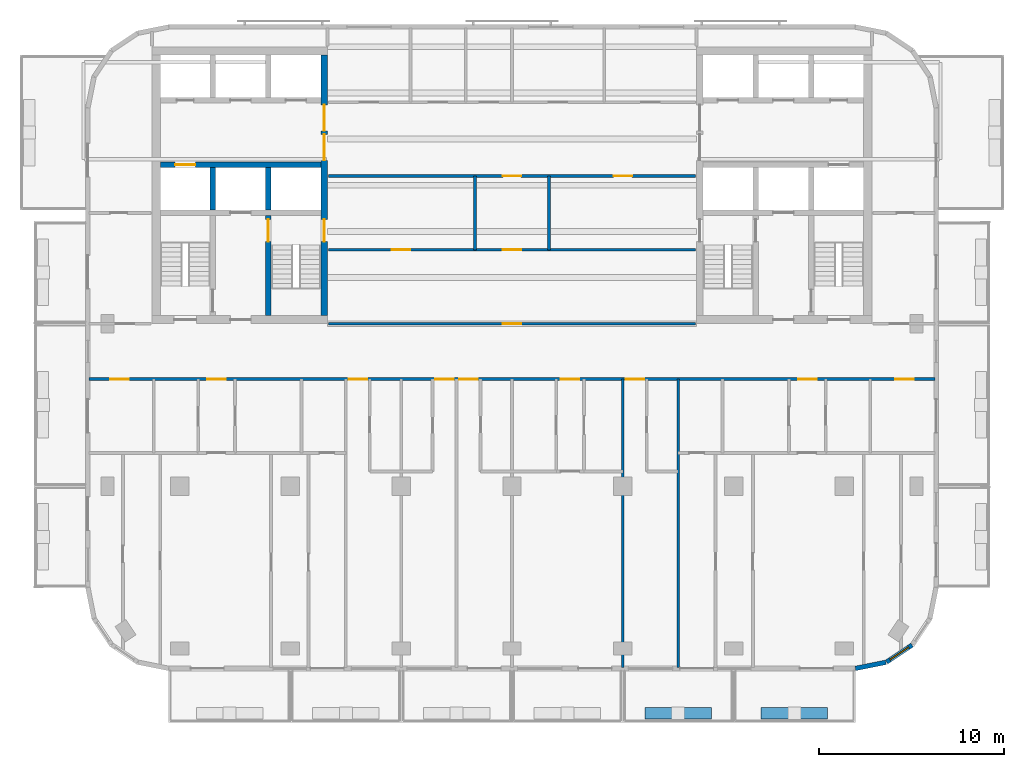
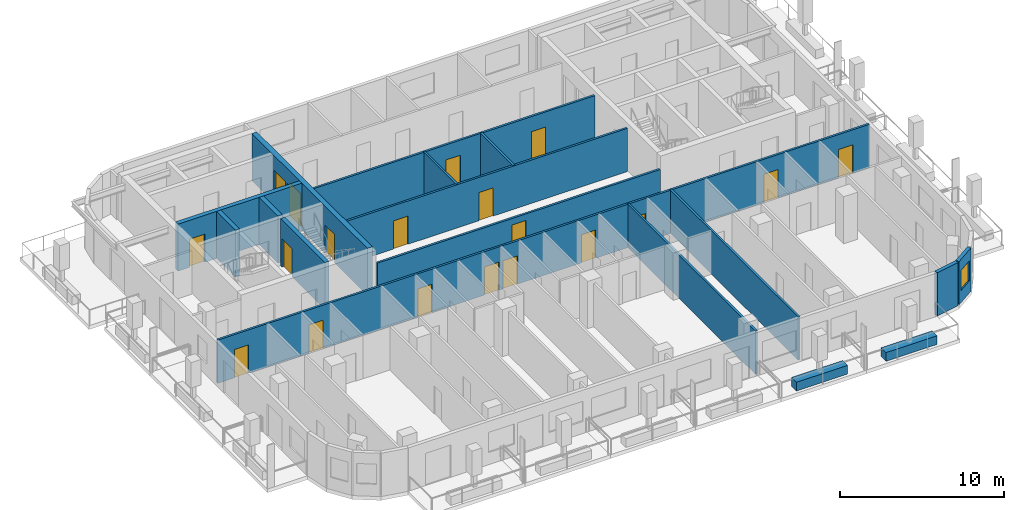
# One storey, part 4 of 11: 19 doors, 17 walls, 1 window, 20 openings.
"""IFC4 building model written with IfcOpenShell, lengths in metres."""

from ifc_helpers import new_model, si_unit, direction, frame, frame_2d, origin, place, context, subcontext, project, spatial, rectangle, extrude, material, layer, layer_set, type_object, element, fill, save


model = new_model("IFC4")

# Units and contexts
model_context = context("Model", 3, precision=1e-05, world=origin(), true_north=direction((0.0, 1.0)))
body_context = subcontext(model_context, "Body", "Model", "MODEL_VIEW")
ifc_project = project(units=[si_unit("LENGTHUNIT", "METRE"), si_unit("AREAUNIT", "SQUARE_METRE"), si_unit("VOLUMEUNIT", "CUBIC_METRE"), si_unit("PLANEANGLEUNIT", "RADIAN"), si_unit("MASSUNIT", "GRAM", prefix="KILO")], contexts=[model_context])

# Site, building, storey
site_placement = place(None, origin())
site = spatial("IfcSite", under=ifc_project, at=site_placement, CompositionType="ELEMENT")
building_placement = place(site_placement, origin())
building = spatial("IfcBuilding", under=site, at=building_placement, Name="Torana Hotel and Residences", CompositionType="ELEMENT")
storey_placement = place(building_placement, frame((0.0, 0.0, 263.10009765625)))
storey = spatial("IfcBuildingStorey", under=building, at=storey_placement, Name="L69", CompositionType="ELEMENT", Elevation=263.10009765625)

# Wall, opening, door
ifc_material_1 = material(Name="Concrete C60/75", Category="concrete")
ifc_layer_1 = layer(ifc_material_1, 0.300048828125)
ifc_layer_set_1 = layer_set([ifc_layer_1], Name="CORE WALL 300 C60/75")
wall_type_1 = type_object("IfcWallType", Name="CORE WALL 300 C60/75", PredefinedType="SHEAR", material=ifc_layer_set_1)
wall_1_placement = place(storey_placement, frame((-19.050048828125, -6.39990234375, 0.0), z_axis=(0.0, 0.0, 1.0), x_axis=(1.0, 0.0, 0.0)))
wall_1 = element("IfcWall", 1, at=wall_1_placement, inside=storey, type_object=wall_type_1, Name="Core wall W row-S", PredefinedType="SHEAR", context=body_context, shape_type="SweptSolid", body=[
    extrude(rectangle(XDim=8.699951171875, YDim=0.300048828125, at=frame_2d((4.35009765625, 0.0))), origin(), (0.0, 0.0, 1.0), 3.5),
])
opening_1_placement = place(wall_1_placement, frame((0.800048828125, 0.0, 0.0)))
opening_1 = element("IfcOpeningElement", 2, at=opening_1_placement, cuts=wall_1, Name="Opening LD", PredefinedType="OPENING", context=body_context, shape_type="SweptSolid", body=[
    extrude(rectangle(XDim=1.10009765625, YDim=2.10009765625, at=frame_2d((0.550048828125, 1.050048828125))), frame((0.0, 0.159912109375, 0.0), z_axis=(0.0, -1.0, 0.0), x_axis=(1.0, 0.0, 0.0)), (0.0, 0.0, 1.0), 0.320068359375),
])
ifc_material_2 = material(Name="Stainless steel 316", Category="steel")
door_type_1 = type_object("IfcDoorType", Name="LIFT LANDING DOOR LD 1100x2100", OperationType="DOUBLE_DOOR_SLIDING", PredefinedType="USERDEFINED", material=ifc_material_2)
door_1_placement = place(opening_1_placement, origin())
door_1 = element("IfcDoor", 3, at=door_1_placement, inside=storey, type_object=door_type_1, Name="Lift landing door SV1 L69", ObjectType="LIFT LANDING DOOR", OperationType="DOUBLE_DOOR_SLIDING", OverallHeight=2.10009765625, OverallWidth=1.10009765625, PredefinedType="USERDEFINED", context=body_context, shape_type="SweptSolid", body=[
    extrude(rectangle(XDim=1.10009765625, YDim=2.10009765625, at=frame_2d((0.550048828125, 1.050048828125))), frame((0.0, 0.02490234375, 0.0), z_axis=(0.0, -1.0, 0.0), x_axis=(1.0, 0.0, 0.0)), (0.0, 0.0, 1.0), 0.050048828125),
])
fill(opening_1, door_1)

# Wall
wall_2_placement = place(storey_placement, frame((-13.199951171875, -8.85009765625, 0.0), z_axis=(0.0, 0.0, 1.0), x_axis=(0.0, 1.0, 0.0)))
element("IfcWall", 4, at=wall_2_placement, inside=storey, type_object=wall_type_1, Name="Core wall W x3.05-S", PredefinedType="SHEAR", context=body_context, shape_type="SweptSolid", body=[
    extrude(rectangle(XDim=2.300048828125, YDim=0.300048828125, at=frame_2d((1.14990234375, 0.0))), origin(), (0.0, 0.0, 1.0), 3.5),
])

# Wall, opening, door
wall_3_placement = place(storey_placement, frame((-13.199951171875, -14.550048828125, 0.0), z_axis=(0.0, 0.0, 1.0), x_axis=(0.0, 1.0, 0.0)))
wall_3 = element("IfcWall", 5, at=wall_3_placement, inside=storey, type_object=wall_type_1, Name="Core wall W x3.05-band", PredefinedType="SHEAR", context=body_context, shape_type="SweptSolid", body=[
    extrude(rectangle(XDim=5.400146484375, YDim=0.300048828125, at=frame_2d((2.7001953125, 0.0))), origin(), (0.0, 0.0, 1.0), 3.5),
])
opening_2_placement = place(wall_3_placement, frame((4.0, 0.0, 0.0)))
opening_2 = element("IfcOpeningElement", 6, at=opening_2_placement, cuts=wall_3, Name="Opening L69-07", PredefinedType="OPENING", context=body_context, shape_type="SweptSolid", body=[
    extrude(rectangle(XDim=1.199951171875, YDim=2.10009765625, at=frame_2d((0.60009765625, 1.050048828125))), frame((0.0, 0.159912109375, 0.0), z_axis=(0.0, -1.0, 0.0), x_axis=(1.0, 0.0, 0.0)), (0.0, 0.0, 1.0), 0.320068359375),
])
ifc_material_3 = material(Name="Steel S235", Category="steel")
door_type_2 = type_object("IfcDoorType", Name="STAIR FIRE DOOR D3 1200x2100", OperationType="SINGLE_SWING_LEFT", PredefinedType="DOOR", material=ifc_material_3)
door_2_placement = place(opening_2_placement, frame((0.60009765625, 0.0, 0.0), z_axis=(0.0, 0.0, 1.0), x_axis=(-1.0, 0.0, 0.0)))
door_2 = element("IfcDoor", 7, at=door_2_placement, inside=storey, type_object=door_type_2, Name="Stair-A-lobby door L69", OperationType="SINGLE_SWING_RIGHT", OverallHeight=2.10009765625, OverallWidth=1.199951171875, PredefinedType="DOOR", context=body_context, shape_type="SweptSolid", body=[
    extrude(rectangle(XDim=1.199951171875, YDim=2.10009765625, at=frame_2d((0.0, 1.050048828125))), frame((0.0, -0.02490234375, 0.0), z_axis=(0.0, 1.0, 0.0), x_axis=(-1.0, 0.0, 0.0)), (0.0, 0.0, 1.0), 0.050048828125),
])
fill(opening_2, door_2)

# Wall
wall_4_placement = place(storey_placement, frame((-16.199951171875, -8.85009765625, 0.0), z_axis=(0.0, 0.0, 1.0), x_axis=(0.0, 1.0, 0.0)))
element("IfcWall", 8, at=wall_4_placement, inside=storey, type_object=wall_type_1, Name="Core wall W x6.05-S", PredefinedType="SHEAR", context=body_context, shape_type="SweptSolid", body=[
    extrude(rectangle(XDim=2.300048828125, YDim=0.300048828125, at=frame_2d((1.14990234375, 0.0))), origin(), (0.0, 0.0, 1.0), 3.5),
])

# Wall, openings, doors
ifc_material_4 = material(Name="Concrete C60/75", Category="concrete")
ifc_layer_2 = layer(ifc_material_4, 0.35009765625)
ifc_layer_set_2 = layer_set([ifc_layer_2], Name="CORE WALL 350 C60/75")
wall_type_2 = type_object("IfcWallType", Name="CORE WALL 350 C60/75", PredefinedType="SHEAR", material=ifc_layer_set_2)
wall_5_placement = place(storey_placement, frame((-10.175048828125, -14.550048828125, 0.0), z_axis=(0.0, 0.0, 1.0), x_axis=(0.0, 1.0, 0.0)))
wall_5 = element("IfcWall", 9, at=wall_5_placement, inside=storey, type_object=wall_type_2, Name="Core wall W arch", PredefinedType="SHEAR", context=body_context, shape_type="SweptSolid", body=[
    extrude(rectangle(XDim=14.10009765625, YDim=0.35009765625, at=frame_2d((7.050048828125, 0.0))), origin(), (0.0, 0.0, 1.0), 3.5),
])
opening_3_placement = place(wall_5_placement, frame((8.39990234375, 0.0, 0.0)))
opening_3 = element("IfcOpeningElement", 10, at=opening_3_placement, cuts=wall_5, Name="Opening L69-01", PredefinedType="OPENING", context=body_context, shape_type="SweptSolid", body=[
    extrude(rectangle(XDim=1.39990234375, YDim=2.39990234375, at=frame_2d((0.699951171875, 1.199951171875))), frame((0.0, 0.18505859375, 0.0), z_axis=(0.0, -1.0, 0.0), x_axis=(1.0, 0.0, 0.0)), (0.0, 0.0, 1.0), 0.3701171875),
])
opening_4_placement = place(wall_5_placement, frame((10.0, 0.0, 0.0)))
opening_4 = element("IfcOpeningElement", 11, at=opening_4_placement, cuts=wall_5, Name="Opening L69-02", PredefinedType="OPENING", context=body_context, shape_type="SweptSolid", body=[
    extrude(rectangle(XDim=1.39990234375, YDim=2.39990234375, at=frame_2d((0.699951171875, 1.199951171875))), frame((0.0, 0.18505859375, 0.0), z_axis=(0.0, -1.0, 0.0), x_axis=(1.0, 0.0, 0.0)), (0.0, 0.0, 1.0), 0.3701171875),
])
opening_5_placement = place(wall_5_placement, frame((4.0, 0.0, 0.0)))
opening_5 = element("IfcOpeningElement", 12, at=opening_5_placement, cuts=wall_5, Name="Opening L69-03", PredefinedType="OPENING", context=body_context, shape_type="SweptSolid", body=[
    extrude(rectangle(XDim=1.199951171875, YDim=2.10009765625, at=frame_2d((0.60009765625, 1.050048828125))), frame((0.0, 0.18505859375, 0.0), z_axis=(0.0, -1.0, 0.0), x_axis=(1.0, 0.0, 0.0)), (0.0, 0.0, 1.0), 0.3701171875),
])
ifc_material_5 = material(Name="Steel S235", Category="steel")
door_type_3 = type_object("IfcDoorType", Name="LOBBY FIRE DOOR D4 1400x2400", OperationType="DOUBLE_DOOR_SINGLE_SWING", PredefinedType="DOOR", material=ifc_material_5)
door_3_placement = place(opening_3_placement, origin())
door_3 = element("IfcDoor", 13, at=door_3_placement, inside=storey, type_object=door_type_3, Name="Lobby-1 door L69", OperationType="DOUBLE_DOOR_SINGLE_SWING", OverallHeight=2.39990234375, OverallWidth=1.39990234375, PredefinedType="DOOR", context=body_context, shape_type="SweptSolid", body=[
    extrude(rectangle(XDim=1.39990234375, YDim=2.39990234375, at=frame_2d((0.699951171875, 1.199951171875))), frame((0.0, 0.02490234375, 0.0), z_axis=(0.0, -1.0, 0.0), x_axis=(1.0, 0.0, 0.0)), (0.0, 0.0, 1.0), 0.050048828125),
])
fill(opening_3, door_3)
door_4_placement = place(opening_4_placement, origin())
door_4 = element("IfcDoor", 14, at=door_4_placement, inside=storey, type_object=door_type_3, Name="Lobby-2 door L69", OperationType="DOUBLE_DOOR_SINGLE_SWING", OverallHeight=2.39990234375, OverallWidth=1.39990234375, PredefinedType="DOOR", context=body_context, shape_type="SweptSolid", body=[
    extrude(rectangle(XDim=1.39990234375, YDim=2.39990234375, at=frame_2d((0.699951171875, 1.199951171875))), frame((0.0, 0.02490234375, 0.0), z_axis=(0.0, -1.0, 0.0), x_axis=(1.0, 0.0, 0.0)), (0.0, 0.0, 1.0), 0.050048828125),
])
fill(opening_4, door_4)
door_5_placement = place(opening_5_placement, origin())
door_5 = element("IfcDoor", 15, at=door_5_placement, inside=storey, type_object=door_type_2, Name="Stair-A door L69", OperationType="SINGLE_SWING_LEFT", OverallHeight=2.10009765625, OverallWidth=1.199951171875, PredefinedType="DOOR", context=body_context, shape_type="SweptSolid", body=[
    extrude(rectangle(XDim=1.199951171875, YDim=2.10009765625, at=frame_2d((0.60009765625, 1.050048828125))), frame((0.0, 0.02490234375, 0.0), z_axis=(0.0, -1.0, 0.0), x_axis=(1.0, 0.0, 0.0)), (0.0, 0.0, 1.0), 0.050048828125),
])
fill(opening_5, door_5)

# Wall
ifc_material_6 = material(Name="Black aluminium composite panel", Category="aluminium")
ifc_layer_3 = layer(ifc_material_6, 0.00390625, Name="Cladding", Category="cladding")
ifc_material_7 = material(Name="Ventilated air cavity")
ifc_layer_4 = layer(ifc_material_7, 0.0400390625, Name="Ventilated cavity", Category="cavity")
ifc_material_8 = material(Name="Mineral wool insulation")
ifc_layer_5 = layer(ifc_material_8, 0.090087890625, Name="Insulation", Category="insulation")
ifc_material_9 = material(Name="Steel S280GD", Category="steel")
ifc_layer_6 = layer(ifc_material_9, 0.092041015625, Name="Steel stud frame", Category="structure")
ifc_material_10 = material(Name="Fire rated plasterboard")
ifc_layer_7 = layer(ifc_material_10, 0.011962890625, Name="Inner board", Category="finish")
ifc_layer_8 = layer(ifc_material_10, 0.011962890625, Name="Second board", Category="finish")
ifc_layer_set_3 = layer_set([ifc_layer_3, ifc_layer_4, ifc_layer_5, ifc_layer_6, ifc_layer_7, ifc_layer_8], Name="EW1 EXTERNAL WALL BLACK METAL CLAD 250")
wall_type_3 = type_object("IfcWallType", Name="EW1 EXTERNAL WALL BLACK METAL CLAD 250", PredefinedType="SOLIDWALL", material=ifc_layer_set_3)
wall_6_placement = place(storey_placement, frame((18.599853515625, -33.672607421875, 0.0), z_axis=(0.0, 0.0, 1.0), x_axis=(0.980770110232, 0.195166572128, 0.0)))
element("IfcWall", 16, at=wall_6_placement, inside=storey, type_object=wall_type_3, Name="External wall L69 e0.15", PredefinedType="SOLIDWALL", context=body_context, shape_type="SweptSolid", body=[
    extrude(rectangle(XDim=1.68115234375, YDim=0.25, at=frame_2d((0.840576171875, 0.0))), origin(), (0.0, 0.0, 1.0), 3.219970703125),
])

# Wall, opening, window
wall_7_placement = place(storey_placement, frame((20.2939453125, -33.325927734375, 0.0), z_axis=(0.0, 0.0, 1.0), x_axis=(0.831482937015, 0.55555029066, 0.0)))
wall_7 = element("IfcWall", 17, at=wall_7_placement, inside=storey, type_object=wall_type_3, Name="External wall L69 e0.16", PredefinedType="SOLIDWALL", context=body_context, shape_type="SweptSolid", body=[
    extrude(rectangle(XDim=1.65625, YDim=0.25, at=frame_2d((0.828125, 0.0))), origin(), (0.0, 0.0, 1.0), 3.219970703125),
])
opening_6_placement = place(wall_7_placement, frame((0.228271484375, 0.0, 0.89990234375)))
opening_6 = element("IfcOpeningElement", 18, at=opening_6_placement, cuts=wall_7, Name="Opening W5", PredefinedType="OPENING", context=body_context, shape_type="SweptSolid", body=[
    extrude(rectangle(XDim=1.199951171875, YDim=1.5, at=frame_2d((0.60009765625, 0.75))), frame((0.0, 0.135009765625, 0.0), z_axis=(0.0, -1.0, 0.0), x_axis=(1.0, 0.0, 0.0)), (0.0, 0.0, 1.0), 0.27001953125),
])
ifc_material_11 = material(Name="Dark glass in black aluminium frame", Category="aluminium")
window_type = type_object("IfcWindowType", Name="W5 CORNER FACET WINDOW 1200x1500", PartitioningType="SINGLE_PANEL", PredefinedType="WINDOW", material=ifc_material_11)
window_placement = place(opening_6_placement, origin())
window = element("IfcWindow", 19, at=window_placement, inside=storey, type_object=window_type, Name="Window L69 e0.16", OverallHeight=1.5, OverallWidth=1.199951171875, PartitioningType="SINGLE_PANEL", PredefinedType="WINDOW", context=body_context, shape_type="SweptSolid", body=[
    extrude(rectangle(XDim=1.199951171875, YDim=1.5, at=frame_2d((0.60009765625, 0.75))), frame((0.0, 0.030029296875, 0.0), z_axis=(0.0, -1.0, 0.0), x_axis=(1.0, 0.0, 0.0)), (0.0, 0.0, 1.0), 0.06005859375),
])
fill(opening_6, window)

# Walls
ifc_material_12 = material(Name="Gypsum plaster")
ifc_layer_9 = layer(ifc_material_12, 0.014892578125, Name="Plaster", Category="finish")
ifc_material_13 = material(Name="Concrete blockwork", Category="masonry")
ifc_layer_10 = layer(ifc_material_13, 0.1201171875, Name="Blockwork", Category="structure")
ifc_layer_11 = layer(ifc_material_12, 0.014892578125, Name="Plaster", Category="finish")
ifc_layer_set_4 = layer_set([ifc_layer_9, ifc_layer_10, ifc_layer_11], Name="FIRE PARTITION 150 BLOCKWORK")
wall_type_4 = type_object("IfcWallType", Name="FIRE PARTITION 150 BLOCKWORK", PredefinedType="PARTITIONING", material=ifc_layer_set_4)
for number, where, z_axis, x_axis, name in (
    (20, (2.0, -11.0, 0.0), (0.0, 0.0, 1.0), (0.0, 1.0, 0.0), "Partition L69"),
    (21, (-2.0, -11.0, 0.0), (0.0, 0.0, 1.0), (0.0, 1.0, 0.0), "Partition L69"),
):
    element("IfcWall", number, at=place(storey_placement, frame(where, z_axis=z_axis, x_axis=x_axis)), inside=storey, type_object=wall_type_4, Name=name, PredefinedType="PARTITIONING", context=body_context, shape_type="SweptSolid", body=[
        extrude(rectangle(XDim=4.0, YDim=0.14990234375, at=frame_2d((2.0, 0.0))), origin(), (0.0, 0.0, 1.0), 3.219970703125),
    ])

# Wall, openings, doors
wall_8_placement = place(storey_placement, frame((-22.919921875, -18.0, 0.0), z_axis=(0.0, 0.0, 1.0), x_axis=(1.0, 0.0, 0.0)))
wall_8 = element("IfcWall", 22, at=wall_8_placement, inside=storey, type_object=wall_type_4, Name="Partition L69", PredefinedType="PARTITIONING", context=body_context, shape_type="SweptSolid", body=[
    extrude(rectangle(XDim=45.83984375, YDim=0.14990234375, at=frame_2d((22.919921875, 0.0))), origin(), (0.0, 0.0, 1.0), 3.219970703125),
])
opening_7_placement = place(wall_8_placement, frame((14.070068359375, 0.0, 0.0)))
opening_7 = element("IfcOpeningElement", 23, at=opening_7_placement, cuts=wall_8, Name="Opening L69-18", PredefinedType="OPENING", context=body_context, shape_type="SweptSolid", body=[
    extrude(rectangle(XDim=1.0, YDim=2.10009765625, at=frame_2d((0.5, 1.050048828125))), frame((0.0, 0.0849609375, 0.0), z_axis=(0.0, -1.0, 0.0), x_axis=(1.0, 0.0, 0.0)), (0.0, 0.0, 1.0), 0.169921875),
])
opening_8_placement = place(wall_8_placement, frame((18.77001953125, 0.0, 0.0)))
opening_8 = element("IfcOpeningElement", 24, at=opening_8_placement, cuts=wall_8, Name="Opening L69-19", PredefinedType="OPENING", context=body_context, shape_type="SweptSolid", body=[
    extrude(rectangle(XDim=1.0, YDim=2.10009765625, at=frame_2d((0.5, 1.050048828125))), frame((0.0, 0.0849609375, 0.0), z_axis=(0.0, -1.0, 0.0), x_axis=(1.0, 0.0, 0.0)), (0.0, 0.0, 1.0), 0.169921875),
])
opening_9_placement = place(wall_8_placement, frame((20.070068359375, 0.0, 0.0)))
opening_9 = element("IfcOpeningElement", 25, at=opening_9_placement, cuts=wall_8, Name="Opening L69-20", PredefinedType="OPENING", context=body_context, shape_type="SweptSolid", body=[
    extrude(rectangle(XDim=1.0, YDim=2.10009765625, at=frame_2d((0.5, 1.050048828125))), frame((0.0, 0.0849609375, 0.0), z_axis=(0.0, -1.0, 0.0), x_axis=(1.0, 0.0, 0.0)), (0.0, 0.0, 1.0), 0.169921875),
])
opening_10_placement = place(wall_8_placement, frame((25.570068359375, 0.0, 0.0)))
opening_10 = element("IfcOpeningElement", 26, at=opening_10_placement, cuts=wall_8, Name="Opening L69-21", PredefinedType="OPENING", context=body_context, shape_type="SweptSolid", body=[
    extrude(rectangle(XDim=1.0, YDim=2.10009765625, at=frame_2d((0.5, 1.050048828125))), frame((0.0, 0.0849609375, 0.0), z_axis=(0.0, -1.0, 0.0), x_axis=(1.0, 0.0, 0.0)), (0.0, 0.0, 1.0), 0.169921875),
])
opening_11_placement = place(wall_8_placement, frame((29.070068359375, 0.0, 0.0)))
opening_11 = element("IfcOpeningElement", 27, at=opening_11_placement, cuts=wall_8, Name="Opening L69-22", PredefinedType="OPENING", context=body_context, shape_type="SweptSolid", body=[
    extrude(rectangle(XDim=1.0, YDim=2.10009765625, at=frame_2d((0.5, 1.050048828125))), frame((0.0, 0.0849609375, 0.0), z_axis=(0.0, -1.0, 0.0), x_axis=(1.0, 0.0, 0.0)), (0.0, 0.0, 1.0), 0.169921875),
])
opening_12_placement = place(wall_8_placement, frame((6.419921875, 0.0, 0.0)))
opening_12 = element("IfcOpeningElement", 28, at=opening_12_placement, cuts=wall_8, Name="Opening L69-23", PredefinedType="OPENING", context=body_context, shape_type="SweptSolid", body=[
    extrude(rectangle(XDim=1.0, YDim=2.10009765625, at=frame_2d((0.5, 1.050048828125))), frame((0.0, 0.0849609375, 0.0), z_axis=(0.0, -1.0, 0.0), x_axis=(1.0, 0.0, 0.0)), (0.0, 0.0, 1.0), 0.169921875),
])
opening_13_placement = place(wall_8_placement, frame((1.169921875, 0.0, 0.0)))
opening_13 = element("IfcOpeningElement", 29, at=opening_13_placement, cuts=wall_8, Name="Opening L69-24", PredefinedType="OPENING", context=body_context, shape_type="SweptSolid", body=[
    extrude(rectangle(XDim=1.0, YDim=2.10009765625, at=frame_2d((0.5, 1.050048828125))), frame((0.0, 0.0849609375, 0.0), z_axis=(0.0, -1.0, 0.0), x_axis=(1.0, 0.0, 0.0)), (0.0, 0.0, 1.0), 0.169921875),
])
opening_14_placement = place(wall_8_placement, frame((38.419921875, 0.0, 0.0)))
opening_14 = element("IfcOpeningElement", 30, at=opening_14_placement, cuts=wall_8, Name="Opening L69-25", PredefinedType="OPENING", context=body_context, shape_type="SweptSolid", body=[
    extrude(rectangle(XDim=1.0, YDim=2.10009765625, at=frame_2d((0.5, 1.050048828125))), frame((0.0, 0.0849609375, 0.0), z_axis=(0.0, -1.0, 0.0), x_axis=(1.0, 0.0, 0.0)), (0.0, 0.0, 1.0), 0.169921875),
])
opening_15_placement = place(wall_8_placement, frame((43.669921875, 0.0, 0.0)))
opening_15 = element("IfcOpeningElement", 31, at=opening_15_placement, cuts=wall_8, Name="Opening L69-26", PredefinedType="OPENING", context=body_context, shape_type="SweptSolid", body=[
    extrude(rectangle(XDim=1.0, YDim=2.10009765625, at=frame_2d((0.5, 1.050048828125))), frame((0.0, 0.0849609375, 0.0), z_axis=(0.0, -1.0, 0.0), x_axis=(1.0, 0.0, 0.0)), (0.0, 0.0, 1.0), 0.169921875),
])
ifc_material_14 = material(Name="Steel S235", Category="steel")
door_type_4 = type_object("IfcDoorType", Name="ENTRY FIRE DOOR D6 1000x2100", OperationType="SINGLE_SWING_LEFT", PredefinedType="DOOR", material=ifc_material_14)
door_6_placement = place(opening_7_placement, frame((0.5, 0.0, 0.0), z_axis=(0.0, 0.0, 1.0), x_axis=(-1.0, 0.0, 0.0)))
door_6 = element("IfcDoor", 32, at=door_6_placement, inside=storey, type_object=door_type_4, Name="Door L69", OperationType="SINGLE_SWING_LEFT", OverallHeight=2.10009765625, OverallWidth=1.0, PredefinedType="DOOR", context=body_context, shape_type="SweptSolid", body=[
    extrude(rectangle(XDim=1.0, YDim=2.10009765625, at=frame_2d((0.0, 1.050048828125))), frame((0.0, -0.02490234375, 0.0), z_axis=(0.0, 1.0, 0.0), x_axis=(-1.0, 0.0, 0.0)), (0.0, 0.0, 1.0), 0.050048828125),
])
fill(opening_7, door_6)
door_7_placement = place(opening_8_placement, frame((0.5, 0.0, 0.0), z_axis=(0.0, 0.0, 1.0), x_axis=(-1.0, 0.0, 0.0)))
door_7 = element("IfcDoor", 33, at=door_7_placement, inside=storey, type_object=door_type_4, Name="Door L69", OperationType="SINGLE_SWING_LEFT", OverallHeight=2.10009765625, OverallWidth=1.0, PredefinedType="DOOR", context=body_context, shape_type="SweptSolid", body=[
    extrude(rectangle(XDim=1.0, YDim=2.10009765625, at=frame_2d((0.0, 1.050048828125))), frame((0.0, -0.02490234375, 0.0), z_axis=(0.0, 1.0, 0.0), x_axis=(-1.0, 0.0, 0.0)), (0.0, 0.0, 1.0), 0.050048828125),
])
fill(opening_8, door_7)
door_8_placement = place(opening_9_placement, frame((0.5, 0.0, 0.0), z_axis=(0.0, 0.0, 1.0), x_axis=(-1.0, 0.0, 0.0)))
door_8 = element("IfcDoor", 34, at=door_8_placement, inside=storey, type_object=door_type_4, Name="Door L69", OperationType="SINGLE_SWING_LEFT", OverallHeight=2.10009765625, OverallWidth=1.0, PredefinedType="DOOR", context=body_context, shape_type="SweptSolid", body=[
    extrude(rectangle(XDim=1.0, YDim=2.10009765625, at=frame_2d((0.0, 1.050048828125))), frame((0.0, -0.02490234375, 0.0), z_axis=(0.0, 1.0, 0.0), x_axis=(-1.0, 0.0, 0.0)), (0.0, 0.0, 1.0), 0.050048828125),
])
fill(opening_9, door_8)
door_9_placement = place(opening_10_placement, origin())
door_9 = element("IfcDoor", 35, at=door_9_placement, inside=storey, type_object=door_type_4, Name="Door L69", OperationType="SINGLE_SWING_RIGHT", OverallHeight=2.10009765625, OverallWidth=1.0, PredefinedType="DOOR", context=body_context, shape_type="SweptSolid", body=[
    extrude(rectangle(XDim=1.0, YDim=2.10009765625, at=frame_2d((0.5, 1.050048828125))), frame((0.0, 0.02490234375, 0.0), z_axis=(0.0, -1.0, 0.0), x_axis=(1.0, 0.0, 0.0)), (0.0, 0.0, 1.0), 0.050048828125),
])
fill(opening_10, door_9)
door_10_placement = place(opening_11_placement, frame((0.5, 0.0, 0.0), z_axis=(0.0, 0.0, 1.0), x_axis=(-1.0, 0.0, 0.0)))
door_10 = element("IfcDoor", 36, at=door_10_placement, inside=storey, type_object=door_type_4, Name="Door L69", OperationType="SINGLE_SWING_LEFT", OverallHeight=2.10009765625, OverallWidth=1.0, PredefinedType="DOOR", context=body_context, shape_type="SweptSolid", body=[
    extrude(rectangle(XDim=1.0, YDim=2.10009765625, at=frame_2d((0.0, 1.050048828125))), frame((0.0, -0.02490234375, 0.0), z_axis=(0.0, 1.0, 0.0), x_axis=(-1.0, 0.0, 0.0)), (0.0, 0.0, 1.0), 0.050048828125),
])
fill(opening_11, door_10)
door_11_placement = place(opening_12_placement, origin())
door_11 = element("IfcDoor", 37, at=door_11_placement, inside=storey, type_object=door_type_4, Name="Door L69", OperationType="SINGLE_SWING_RIGHT", OverallHeight=2.10009765625, OverallWidth=1.0, PredefinedType="DOOR", context=body_context, shape_type="SweptSolid", body=[
    extrude(rectangle(XDim=1.0, YDim=2.10009765625, at=frame_2d((0.5, 1.050048828125))), frame((0.0, 0.02490234375, 0.0), z_axis=(0.0, -1.0, 0.0), x_axis=(1.0, 0.0, 0.0)), (0.0, 0.0, 1.0), 0.050048828125),
])
fill(opening_12, door_11)
door_12_placement = place(opening_13_placement, frame((0.5, 0.0, 0.0), z_axis=(0.0, 0.0, 1.0), x_axis=(-1.0, 0.0, 0.0)))
door_12 = element("IfcDoor", 38, at=door_12_placement, inside=storey, type_object=door_type_4, Name="Door L69", OperationType="SINGLE_SWING_LEFT", OverallHeight=2.10009765625, OverallWidth=1.0, PredefinedType="DOOR", context=body_context, shape_type="SweptSolid", body=[
    extrude(rectangle(XDim=1.0, YDim=2.10009765625, at=frame_2d((0.0, 1.050048828125))), frame((0.0, -0.02490234375, 0.0), z_axis=(0.0, 1.0, 0.0), x_axis=(-1.0, 0.0, 0.0)), (0.0, 0.0, 1.0), 0.050048828125),
])
fill(opening_13, door_12)
door_13_placement = place(opening_14_placement, origin())
door_13 = element("IfcDoor", 39, at=door_13_placement, inside=storey, type_object=door_type_4, Name="Door L69", OperationType="SINGLE_SWING_RIGHT", OverallHeight=2.10009765625, OverallWidth=1.0, PredefinedType="DOOR", context=body_context, shape_type="SweptSolid", body=[
    extrude(rectangle(XDim=1.0, YDim=2.10009765625, at=frame_2d((0.5, 1.050048828125))), frame((0.0, 0.02490234375, 0.0), z_axis=(0.0, -1.0, 0.0), x_axis=(1.0, 0.0, 0.0)), (0.0, 0.0, 1.0), 0.050048828125),
])
fill(opening_14, door_13)
door_14_placement = place(opening_15_placement, frame((0.5, 0.0, 0.0), z_axis=(0.0, 0.0, 1.0), x_axis=(-1.0, 0.0, 0.0)))
door_14 = element("IfcDoor", 40, at=door_14_placement, inside=storey, type_object=door_type_4, Name="Door L69", OperationType="SINGLE_SWING_RIGHT", OverallHeight=2.10009765625, OverallWidth=1.0, PredefinedType="DOOR", context=body_context, shape_type="SweptSolid", body=[
    extrude(rectangle(XDim=1.0, YDim=2.10009765625, at=frame_2d((0.0, 1.050048828125))), frame((0.0, -0.02490234375, 0.0), z_axis=(0.0, 1.0, 0.0), x_axis=(-1.0, 0.0, 0.0)), (0.0, 0.0, 1.0), 0.050048828125),
])
fill(opening_15, door_14)

# Wall, opening, door
wall_9_placement = place(storey_placement, frame((-9.949951171875, -15.0, 0.0), z_axis=(0.0, 0.0, 1.0), x_axis=(1.0, 0.0, 0.0)))
wall_9 = element("IfcWall", 41, at=wall_9_placement, inside=storey, type_object=wall_type_4, Name="Partition L69", PredefinedType="PARTITIONING", context=body_context, shape_type="SweptSolid", body=[
    extrude(rectangle(XDim=19.89990234375, YDim=0.14990234375, at=frame_2d((9.949951171875, 0.0))), origin(), (0.0, 0.0, 1.0), 2.583984375),
])
opening_16_placement = place(wall_9_placement, frame((9.449951171875, 0.0, 0.0)))
opening_16 = element("IfcOpeningElement", 42, at=opening_16_placement, cuts=wall_9, Name="Opening L69-17", PredefinedType="OPENING", context=body_context, shape_type="SweptSolid", body=[
    extrude(rectangle(XDim=1.0, YDim=2.10009765625, at=frame_2d((0.5, 1.050048828125))), frame((0.0, 0.0849609375, 0.0), z_axis=(0.0, -1.0, 0.0), x_axis=(1.0, 0.0, 0.0)), (0.0, 0.0, 1.0), 0.169921875),
])
door_15_placement = place(opening_16_placement, origin())
door_15 = element("IfcDoor", 43, at=door_15_placement, inside=storey, type_object=door_type_4, Name="Door L69", OperationType="SINGLE_SWING_RIGHT", OverallHeight=2.10009765625, OverallWidth=1.0, PredefinedType="DOOR", context=body_context, shape_type="SweptSolid", body=[
    extrude(rectangle(XDim=1.0, YDim=2.10009765625, at=frame_2d((0.5, 1.050048828125))), frame((0.0, 0.02490234375, 0.0), z_axis=(0.0, -1.0, 0.0), x_axis=(1.0, 0.0, 0.0)), (0.0, 0.0, 1.0), 0.050048828125),
])
fill(opening_16, door_15)

# Wall, openings, doors
wall_10_placement = place(storey_placement, frame((-9.949951171875, -11.0, 0.0), z_axis=(0.0, 0.0, 1.0), x_axis=(1.0, 0.0, 0.0)))
wall_10 = element("IfcWall", 44, at=wall_10_placement, inside=storey, type_object=wall_type_4, Name="Partition L69", PredefinedType="PARTITIONING", context=body_context, shape_type="SweptSolid", body=[
    extrude(rectangle(XDim=19.89990234375, YDim=0.14990234375, at=frame_2d((9.949951171875, 0.0))), origin(), (0.0, 0.0, 1.0), 3.219970703125),
])
opening_17_placement = place(wall_10_placement, frame((9.449951171875, 0.0, 0.0)))
opening_17 = element("IfcOpeningElement", 45, at=opening_17_placement, cuts=wall_10, Name="Opening L69-29", PredefinedType="OPENING", context=body_context, shape_type="SweptSolid", body=[
    extrude(rectangle(XDim=1.0, YDim=2.10009765625, at=frame_2d((0.5, 1.050048828125))), frame((0.0, 0.0849609375, 0.0), z_axis=(0.0, -1.0, 0.0), x_axis=(1.0, 0.0, 0.0)), (0.0, 0.0, 1.0), 0.169921875),
])
opening_18_placement = place(wall_10_placement, frame((3.449951171875, 0.0, 0.0)))
opening_18 = element("IfcOpeningElement", 46, at=opening_18_placement, cuts=wall_10, Name="Opening L69-30", PredefinedType="OPENING", context=body_context, shape_type="SweptSolid", body=[
    extrude(rectangle(XDim=1.0, YDim=2.10009765625, at=frame_2d((0.5, 1.050048828125))), frame((0.0, 0.0849609375, 0.0), z_axis=(0.0, -1.0, 0.0), x_axis=(1.0, 0.0, 0.0)), (0.0, 0.0, 1.0), 0.169921875),
])
door_16_placement = place(opening_17_placement, origin())
door_16 = element("IfcDoor", 47, at=door_16_placement, inside=storey, type_object=door_type_4, Name="Door L69", OperationType="SINGLE_SWING_RIGHT", OverallHeight=2.10009765625, OverallWidth=1.0, PredefinedType="DOOR", context=body_context, shape_type="SweptSolid", body=[
    extrude(rectangle(XDim=1.0, YDim=2.10009765625, at=frame_2d((0.5, 1.050048828125))), frame((0.0, 0.02490234375, 0.0), z_axis=(0.0, -1.0, 0.0), x_axis=(1.0, 0.0, 0.0)), (0.0, 0.0, 1.0), 0.050048828125),
])
fill(opening_17, door_16)
door_17_placement = place(opening_18_placement, origin())
door_17 = element("IfcDoor", 48, at=door_17_placement, inside=storey, type_object=door_type_4, Name="Door L69", OperationType="SINGLE_SWING_RIGHT", OverallHeight=2.10009765625, OverallWidth=1.0, PredefinedType="DOOR", context=body_context, shape_type="SweptSolid", body=[
    extrude(rectangle(XDim=1.0, YDim=2.10009765625, at=frame_2d((0.5, 1.050048828125))), frame((0.0, 0.02490234375, 0.0), z_axis=(0.0, -1.0, 0.0), x_axis=(1.0, 0.0, 0.0)), (0.0, 0.0, 1.0), 0.050048828125),
])
fill(opening_18, door_17)

wall_11_placement = place(storey_placement, frame((-9.949951171875, -7.0, 0.0), z_axis=(0.0, 0.0, 1.0), x_axis=(1.0, 0.0, 0.0)))
wall_11 = element("IfcWall", 49, at=wall_11_placement, inside=storey, type_object=wall_type_4, Name="Partition L69", PredefinedType="PARTITIONING", context=body_context, shape_type="SweptSolid", body=[
    extrude(rectangle(XDim=19.89990234375, YDim=0.14990234375, at=frame_2d((9.949951171875, 0.0))), origin(), (0.0, 0.0, 1.0), 3.219970703125),
])
opening_19_placement = place(wall_11_placement, frame((9.449951171875, 0.0, 0.0)))
opening_19 = element("IfcOpeningElement", 50, at=opening_19_placement, cuts=wall_11, Name="Opening L69-31", PredefinedType="OPENING", context=body_context, shape_type="SweptSolid", body=[
    extrude(rectangle(XDim=1.0, YDim=2.10009765625, at=frame_2d((0.5, 1.050048828125))), frame((0.0, 0.0849609375, 0.0), z_axis=(0.0, -1.0, 0.0), x_axis=(1.0, 0.0, 0.0)), (0.0, 0.0, 1.0), 0.169921875),
])
opening_20_placement = place(wall_11_placement, frame((15.449951171875, 0.0, 0.0)))
opening_20 = element("IfcOpeningElement", 51, at=opening_20_placement, cuts=wall_11, Name="Opening L69-32", PredefinedType="OPENING", context=body_context, shape_type="SweptSolid", body=[
    extrude(rectangle(XDim=1.0, YDim=2.10009765625, at=frame_2d((0.5, 1.050048828125))), frame((0.0, 0.0849609375, 0.0), z_axis=(0.0, -1.0, 0.0), x_axis=(1.0, 0.0, 0.0)), (0.0, 0.0, 1.0), 0.169921875),
])
door_18_placement = place(opening_19_placement, origin())
door_18 = element("IfcDoor", 52, at=door_18_placement, inside=storey, type_object=door_type_4, Name="Door L69", OperationType="SINGLE_SWING_RIGHT", OverallHeight=2.10009765625, OverallWidth=1.0, PredefinedType="DOOR", context=body_context, shape_type="SweptSolid", body=[
    extrude(rectangle(XDim=1.0, YDim=2.10009765625, at=frame_2d((0.5, 1.050048828125))), frame((0.0, 0.02490234375, 0.0), z_axis=(0.0, -1.0, 0.0), x_axis=(1.0, 0.0, 0.0)), (0.0, 0.0, 1.0), 0.050048828125),
])
fill(opening_19, door_18)
door_19_placement = place(opening_20_placement, frame((0.5, 0.0, 0.0), z_axis=(0.0, 0.0, 1.0), x_axis=(-1.0, 0.0, 0.0)))
door_19 = element("IfcDoor", 53, at=door_19_placement, inside=storey, type_object=door_type_4, Name="Door L69", OperationType="SINGLE_SWING_LEFT", OverallHeight=2.10009765625, OverallWidth=1.0, PredefinedType="DOOR", context=body_context, shape_type="SweptSolid", body=[
    extrude(rectangle(XDim=1.0, YDim=2.10009765625, at=frame_2d((0.0, 1.050048828125))), frame((0.0, -0.02490234375, 0.0), z_axis=(0.0, 1.0, 0.0), x_axis=(-1.0, 0.0, 0.0)), (0.0, 0.0, 1.0), 0.050048828125),
])
fill(opening_20, door_19)

# Walls
ifc_material_15 = material(Name="Gypsum plasterboard")
ifc_layer_12 = layer(ifc_material_15, 0.012451171875, Name="Plasterboard", Category="finish")
ifc_layer_13 = layer(ifc_material_15, 0.012451171875, Name="Plasterboard", Category="finish")
ifc_layer_14 = layer(ifc_material_9, 0.10009765625, Name="Steel studs with mineral wool", Category="insulation")
ifc_layer_15 = layer(ifc_material_15, 0.012451171875, Name="Plasterboard", Category="finish")
ifc_layer_16 = layer(ifc_material_15, 0.012451171875, Name="Plasterboard", Category="finish")
ifc_layer_set_5 = layer_set([ifc_layer_12, ifc_layer_13, ifc_layer_14, ifc_layer_15, ifc_layer_16], Name="PARTITION 150 PLASTERBOARD")
wall_type_5 = type_object("IfcWallType", Name="PARTITION 150 PLASTERBOARD", PredefinedType="PARTITIONING", material=ifc_layer_set_5)
for number, where, z_axis, x_axis, name in (
    (54, (9.0, -33.6201171875, 0.0), (0.0, 0.0, 1.0), (0.0, 1.0, 0.0), "Partition L69"),
    (55, (6.0, -33.6201171875, 0.0), (0.0, 0.0, 1.0), (0.0, 1.0, 0.0), "Partition L69"),
):
    element("IfcWall", number, at=place(storey_placement, frame(where, z_axis=z_axis, x_axis=x_axis)), inside=storey, type_object=wall_type_5, Name=name, PredefinedType="PARTITIONING", context=body_context, shape_type="SweptSolid", body=[
        extrude(rectangle(XDim=15.6201171875, YDim=0.14990234375, at=frame_2d((7.81005859375, 0.0))), origin(), (0.0, 0.0, 1.0), 3.219970703125),
    ])
ifc_material_16 = material(Name="Concrete C40/50 precast", Category="concrete")
ifc_layer_17 = layer(ifc_material_16, 0.10009765625, Name="Planter shell", Category="structure")
ifc_material_17 = material(Name="Root resistant membrane")
ifc_layer_18 = layer(ifc_material_17, 0.00390625, Name="Waterproofing membrane", Category="membrane")
ifc_material_18 = material(Name="Drainage board with filter fleece")
ifc_layer_19 = layer(ifc_material_18, 0.02001953125, Name="Drainage board", Category="drainage")
ifc_material_19 = material(Name="Growing medium")
ifc_layer_20 = layer(ifc_material_19, 0.47607421875, Name="Planting substrate", Category="soil")
ifc_layer_set_6 = layer_set([ifc_layer_17, ifc_layer_18, ifc_layer_19, ifc_layer_20], Name="PL1 BALCONY PLANTER 600")
wall_type_6 = type_object("IfcWallType", Name="PL1 BALCONY PLANTER 600", PredefinedType="USERDEFINED", material=ifc_layer_set_6)
for number, where, z_axis, x_axis, name in (
    (56, (10.800048828125, -36.10009765625, 0.0), (0.0, 0.0, 1.0), (-1.0, 0.0, 0.0), "Planter 05"),
    (57, (17.10009765625, -36.10009765625, 0.0), (0.0, 0.0, 1.0), (-1.0, 0.0, 0.0), "Planter 06"),
):
    element("IfcWall", number, at=place(storey_placement, frame(where, z_axis=z_axis, x_axis=x_axis)), inside=storey, type_object=wall_type_6, Name=name, ObjectType="PLANTER", PredefinedType="USERDEFINED", context=body_context, shape_type="SweptSolid", body=[
        extrude(rectangle(XDim=3.60009765625, YDim=0.60009765625, at=frame_2d((1.800048828125, 0.0))), origin(), (0.0, 0.0, 1.0), 0.64990234375),
    ])

save(model, "model.ifc")
